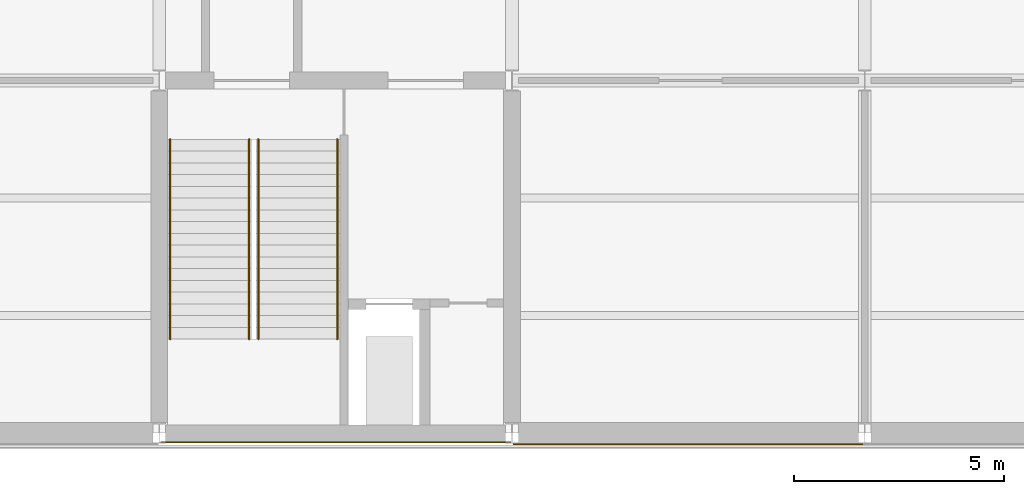
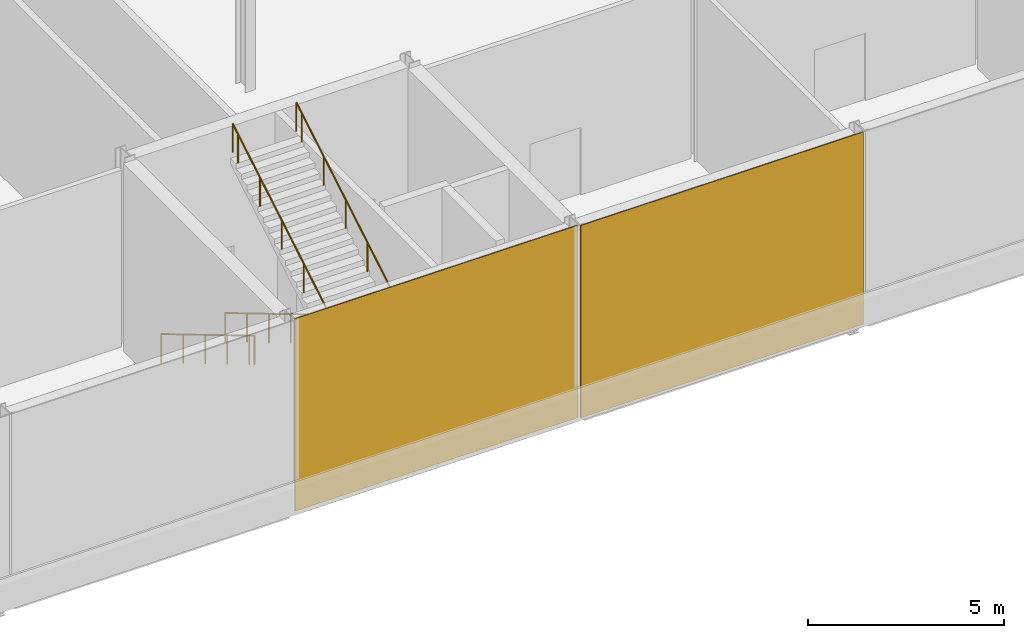
# One storey, part 50 of 55: 4 railings, 2 coverings.
"""IFC4 building model written with IfcOpenShell, lengths in metres."""

from ifc_helpers import new_model, si_unit, direction, frame, origin, origin_2d, place, context, subcontext, project, spatial, rectangle, circle, extrude, material, layer, layer_set, type_object, element, save


model = new_model("IFC4")

# Units and contexts
model_context = context("Model", 3, precision=1e-05, world=origin(), true_north=direction((0.0, 1.0)))
body_context = subcontext(model_context, "Body", "Model", "MODEL_VIEW")
ifc_project = project(units=[si_unit("LENGTHUNIT", "METRE"), si_unit("AREAUNIT", "SQUARE_METRE"), si_unit("VOLUMEUNIT", "CUBIC_METRE"), si_unit("PLANEANGLEUNIT", "RADIAN"), si_unit("MASSUNIT", "GRAM", prefix="KILO")], contexts=[model_context])

# Site, building, storey
site_placement = place(None, origin())
site = spatial("IfcSite", under=ifc_project, at=site_placement, CompositionType="ELEMENT")
building_placement = place(site_placement, origin())
building = spatial("IfcBuilding", under=site, at=building_placement, Name="Galleria Vessillo Department Store", CompositionType="ELEMENT")
storey_placement = place(building_placement, origin())
storey = spatial("IfcBuildingStorey", under=building, at=storey_placement, Name="L00", CompositionType="ELEMENT", Elevation=0.0)

# Coverings
ifc_material_1 = material(Name="Lime plaster (intonaco) ochre")
ifc_layer = layer(ifc_material_1, 0.030029296875)
ifc_layer_set = layer_set([ifc_layer], Name="Lime plaster (intonaco) ochre")
covering_type = type_object("IfcCoveringType", Name="Lime plaster render 30 mm", PredefinedType="CLADDING", material=ifc_layer_set)
covering_1_placement = place(storey_placement, frame((79.800048828125, -0.215087890625, 0.0), z_axis=(0.0, 0.0, 1.0), x_axis=(1.0, 0.0, 0.0)))
element("IfcCovering", 1, at=covering_1_placement, inside=storey, type_object=covering_type, Name="Wall cladding S-CW-PC-SE-PARTY-L00", PredefinedType="CLADDING", context=body_context, shape_type="SweptSolid", body=[
    extrude(rectangle(XDim=8.33984375, YDim=0.030029296875, at=origin_2d()), origin(), (0.0, 0.0, 1.0), 6.0),
])
covering_2_placement = place(storey_placement, frame((88.199951171875, -0.264892578125, 0.0), z_axis=(0.0, 0.0, 1.0), x_axis=(1.0, 0.0, 0.0)))
element("IfcCovering", 2, at=covering_2_placement, inside=storey, type_object=covering_type, Name="Wall cladding S-PS-L00-07", PredefinedType="CLADDING", context=body_context, shape_type="SweptSolid", body=[
    extrude(rectangle(XDim=8.340087890625, YDim=0.030029296875, at=origin_2d()), origin(), (0.0, 0.0, 1.0), 6.0),
])

# Railings
ifc_material_2 = material(Name="Stainless steel tube", Category="steel")
railing_type = type_object("IfcRailingType", Name="Stair handrail steel tube 48 mm", PredefinedType="HANDRAIL", material=ifc_material_2)
railing_1_placement = place(storey_placement, frame((77.739990234375, 7.0, 0.166748046875)))
element("IfcRailing", 3, at=railing_1_placement, inside=storey, type_object=railing_type, Name="Handrail ST5 L00 flight 1A", PredefinedType="HANDRAIL", context=body_context, shape_type="SweptSolid", body=[
    extrude(circle(Radius=0.02392578125, at=origin_2d()), frame((0.0, 0.0, 0.89599609375), z_axis=(0.0, -0.859371278866, 0.511352134112), x_axis=(1.0, 0.0, 0.0)), (0.0, 0.0, 1.0), 1.303466796875),
    extrude(circle(Radius=0.02392578125, at=origin_2d()), frame((0.0, -1.1201171875, 1.5625), z_axis=(0.0, -0.859239953289, 0.511572773584), x_axis=(1.0, 0.0, 0.0)), (0.0, 0.0, 1.0), 1.30322265625),
    extrude(circle(Radius=0.02392578125, at=origin_2d()), frame((0.0, -2.239990234375, 2.22900390625), z_axis=(0.0, -0.859288964532, 0.511490445104), x_axis=(1.0, 0.0, 0.0)), (0.0, 0.0, 1.0), 1.303466796875),
    extrude(circle(Radius=0.02392578125, at=origin_2d()), frame((0.0, -3.360107421875, 2.89599609375), z_axis=(0.0, -0.85932228943, 0.511434456103), x_axis=(1.0, 0.0, 0.0)), (0.0, 0.0, 1.0), 1.30322265625),
    extrude(circle(Radius=0.02392578125, at=origin_2d()), frame((0.0, -4.47998046875, 3.5625), z_axis=(0.0, -0.859206643714, 0.511628716353), x_axis=(1.0, 0.0, 0.0)), (0.0, 0.0, 1.0), 0.325927734375),
    extrude(circle(Radius=0.02099609375, at=origin_2d()), origin(), (0.0, 0.0, 1.0), 0.871826171875),
    extrude(circle(Radius=0.02099609375, at=origin_2d()), frame((0.0, -1.1201171875, 0.66650390625)), (0.0, 0.0, 1.0), 0.871826171875),
    extrude(circle(Radius=0.02099609375, at=origin_2d()), frame((0.0, -2.239990234375, 1.333251953125)), (0.0, 0.0, 1.0), 0.871826171875),
    extrude(circle(Radius=0.02099609375, at=origin_2d()), frame((0.0, -3.360107421875, 2.0)), (0.0, 0.0, 1.0), 0.871826171875),
    extrude(circle(Radius=0.02099609375, at=origin_2d()), frame((0.0, -4.47998046875, 2.66650390625)), (0.0, 0.0, 1.0), 0.871826171875),
    extrude(circle(Radius=0.02099609375, at=origin_2d()), frame((0.0, -4.760009765625, 2.833251953125)), (0.0, 0.0, 1.0), 0.871826171875),
])
railing_2_placement = place(storey_placement, frame((75.860107421875, 7.0, 0.166748046875)))
element("IfcRailing", 4, at=railing_2_placement, inside=storey, type_object=railing_type, Name="Handrail ST5 L00 flight 1B", PredefinedType="HANDRAIL", context=body_context, shape_type="SweptSolid", body=[
    extrude(circle(Radius=0.02392578125, at=origin_2d()), frame((0.0, 0.0, 0.89599609375), z_axis=(0.0, -0.859371278866, 0.511352134112), x_axis=(1.0, 0.0, 0.0)), (0.0, 0.0, 1.0), 1.303466796875),
    extrude(circle(Radius=0.02392578125, at=origin_2d()), frame((0.0, -1.1201171875, 1.5625), z_axis=(0.0, -0.859239953289, 0.511572773584), x_axis=(1.0, 0.0, 0.0)), (0.0, 0.0, 1.0), 1.30322265625),
    extrude(circle(Radius=0.02392578125, at=origin_2d()), frame((0.0, -2.239990234375, 2.22900390625), z_axis=(0.0, -0.859288964532, 0.511490445104), x_axis=(1.0, 0.0, 0.0)), (0.0, 0.0, 1.0), 1.303466796875),
    extrude(circle(Radius=0.02392578125, at=origin_2d()), frame((0.0, -3.360107421875, 2.89599609375), z_axis=(0.0, -0.85932228943, 0.511434456103), x_axis=(1.0, 0.0, 0.0)), (0.0, 0.0, 1.0), 1.30322265625),
    extrude(circle(Radius=0.02392578125, at=origin_2d()), frame((0.0, -4.47998046875, 3.5625), z_axis=(0.0, -0.859206643714, 0.511628716353), x_axis=(1.0, 0.0, 0.0)), (0.0, 0.0, 1.0), 0.325927734375),
    extrude(circle(Radius=0.02099609375, at=origin_2d()), origin(), (0.0, 0.0, 1.0), 0.871826171875),
    extrude(circle(Radius=0.02099609375, at=origin_2d()), frame((0.0, -1.1201171875, 0.66650390625)), (0.0, 0.0, 1.0), 0.871826171875),
    extrude(circle(Radius=0.02099609375, at=origin_2d()), frame((0.0, -2.239990234375, 1.333251953125)), (0.0, 0.0, 1.0), 0.871826171875),
    extrude(circle(Radius=0.02099609375, at=origin_2d()), frame((0.0, -3.360107421875, 2.0)), (0.0, 0.0, 1.0), 0.871826171875),
    extrude(circle(Radius=0.02099609375, at=origin_2d()), frame((0.0, -4.47998046875, 2.66650390625)), (0.0, 0.0, 1.0), 0.871826171875),
    extrude(circle(Radius=0.02099609375, at=origin_2d()), frame((0.0, -4.760009765625, 2.833251953125)), (0.0, 0.0, 1.0), 0.871826171875),
])
railing_3_placement = place(storey_placement, frame((77.9599609375, 2.239990234375, 3.166748046875)))
element("IfcRailing", 5, at=railing_3_placement, inside=storey, type_object=railing_type, Name="Handrail ST5 L00 flight 2A", PredefinedType="HANDRAIL", context=body_context, shape_type="SweptSolid", body=[
    extrude(circle(Radius=0.02392578125, at=origin_2d()), frame((0.0, 0.0, 0.89599609375), z_axis=(0.0, 0.859371278866, 0.511352134112), x_axis=(-1.0, 0.0, 0.0)), (0.0, 0.0, 1.0), 1.303466796875),
    extrude(circle(Radius=0.02392578125, at=origin_2d()), frame((0.0, 1.1201171875, 1.5625), z_axis=(0.0, 0.859239953289, 0.511572773584), x_axis=(-1.0, 0.0, 0.0)), (0.0, 0.0, 1.0), 1.30322265625),
    extrude(circle(Radius=0.02392578125, at=origin_2d()), frame((0.0, 2.239990234375, 2.22900390625), z_axis=(0.0, 0.859288964532, 0.511490445104), x_axis=(-1.0, 0.0, 0.0)), (0.0, 0.0, 1.0), 1.303466796875),
    extrude(circle(Radius=0.02392578125, at=origin_2d()), frame((0.0, 3.360107421875, 2.89599609375), z_axis=(0.0, 0.85932228943, 0.511434456103), x_axis=(-1.0, 0.0, 0.0)), (0.0, 0.0, 1.0), 1.30322265625),
    extrude(circle(Radius=0.02392578125, at=origin_2d()), frame((0.0, 4.47998046875, 3.5625), z_axis=(0.0, 0.859206643714, 0.511628716353), x_axis=(-1.0, 0.0, 0.0)), (0.0, 0.0, 1.0), 0.325927734375),
    extrude(circle(Radius=0.02099609375, at=origin_2d()), origin(), (0.0, 0.0, 1.0), 0.871826171875),
    extrude(circle(Radius=0.02099609375, at=origin_2d()), frame((0.0, 1.1201171875, 0.66650390625)), (0.0, 0.0, 1.0), 0.871826171875),
    extrude(circle(Radius=0.02099609375, at=origin_2d()), frame((0.0, 2.239990234375, 1.333251953125)), (0.0, 0.0, 1.0), 0.871826171875),
    extrude(circle(Radius=0.02099609375, at=origin_2d()), frame((0.0, 3.360107421875, 2.0)), (0.0, 0.0, 1.0), 0.871826171875),
    extrude(circle(Radius=0.02099609375, at=origin_2d()), frame((0.0, 4.47998046875, 2.66650390625)), (0.0, 0.0, 1.0), 0.871826171875),
    extrude(circle(Radius=0.02099609375, at=origin_2d()), frame((0.0, 4.760009765625, 2.833251953125)), (0.0, 0.0, 1.0), 0.871826171875),
])
railing_4_placement = place(storey_placement, frame((79.83984375, 2.239990234375, 3.166748046875)))
element("IfcRailing", 6, at=railing_4_placement, inside=storey, type_object=railing_type, Name="Handrail ST5 L00 flight 2B", PredefinedType="HANDRAIL", context=body_context, shape_type="SweptSolid", body=[
    extrude(circle(Radius=0.02392578125, at=origin_2d()), frame((0.0, 0.0, 0.89599609375), z_axis=(0.0, 0.859371278866, 0.511352134112), x_axis=(-1.0, 0.0, 0.0)), (0.0, 0.0, 1.0), 1.303466796875),
    extrude(circle(Radius=0.02392578125, at=origin_2d()), frame((0.0, 1.1201171875, 1.5625), z_axis=(0.0, 0.859239953289, 0.511572773584), x_axis=(-1.0, 0.0, 0.0)), (0.0, 0.0, 1.0), 1.30322265625),
    extrude(circle(Radius=0.02392578125, at=origin_2d()), frame((0.0, 2.239990234375, 2.22900390625), z_axis=(0.0, 0.859288964532, 0.511490445104), x_axis=(-1.0, 0.0, 0.0)), (0.0, 0.0, 1.0), 1.303466796875),
    extrude(circle(Radius=0.02392578125, at=origin_2d()), frame((0.0, 3.360107421875, 2.89599609375), z_axis=(0.0, 0.85932228943, 0.511434456103), x_axis=(-1.0, 0.0, 0.0)), (0.0, 0.0, 1.0), 1.30322265625),
    extrude(circle(Radius=0.02392578125, at=origin_2d()), frame((0.0, 4.47998046875, 3.5625), z_axis=(0.0, 0.859206643714, 0.511628716353), x_axis=(-1.0, 0.0, 0.0)), (0.0, 0.0, 1.0), 0.325927734375),
    extrude(circle(Radius=0.02099609375, at=origin_2d()), origin(), (0.0, 0.0, 1.0), 0.871826171875),
    extrude(circle(Radius=0.02099609375, at=origin_2d()), frame((0.0, 1.1201171875, 0.66650390625)), (0.0, 0.0, 1.0), 0.871826171875),
    extrude(circle(Radius=0.02099609375, at=origin_2d()), frame((0.0, 2.239990234375, 1.333251953125)), (0.0, 0.0, 1.0), 0.871826171875),
    extrude(circle(Radius=0.02099609375, at=origin_2d()), frame((0.0, 3.360107421875, 2.0)), (0.0, 0.0, 1.0), 0.871826171875),
    extrude(circle(Radius=0.02099609375, at=origin_2d()), frame((0.0, 4.47998046875, 2.66650390625)), (0.0, 0.0, 1.0), 0.871826171875),
    extrude(circle(Radius=0.02099609375, at=origin_2d()), frame((0.0, 4.760009765625, 2.833251953125)), (0.0, 0.0, 1.0), 0.871826171875),
])

save(model, "model.ifc")
